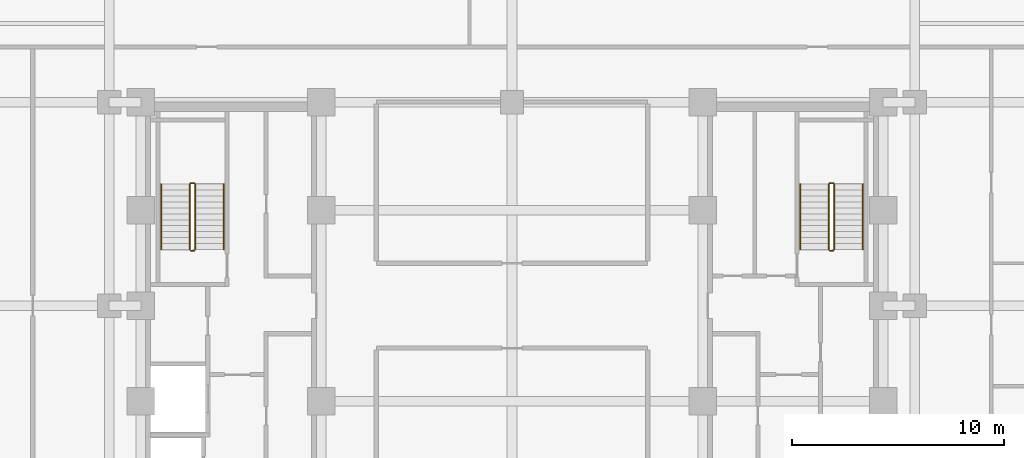
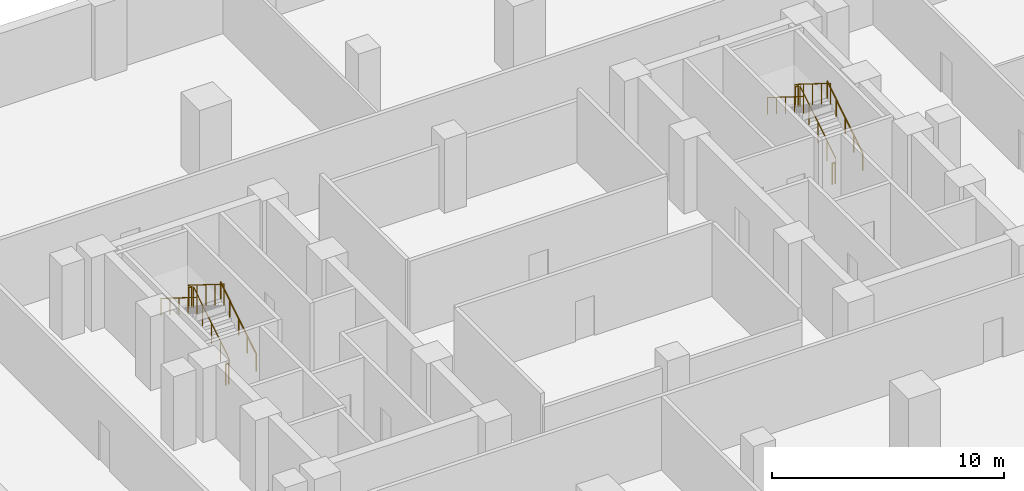
# One storey, part 6 of 6: 12 railings.
"""IFC4 building model written with IfcOpenShell, lengths in metres."""

from ifc_helpers import new_model, si_unit, direction, frame, origin, origin_2d, place, context, subcontext, project, spatial, circle, extrude, material, type_object, element, save


model = new_model("IFC4")

# Units and contexts
model_context = context("Model", 3, precision=1e-05, world=origin(), true_north=direction((0.0, 1.0)))
body_context = subcontext(model_context, "Body", "Model", "MODEL_VIEW")
ifc_project = project(units=[si_unit("LENGTHUNIT", "METRE"), si_unit("AREAUNIT", "SQUARE_METRE"), si_unit("VOLUMEUNIT", "CUBIC_METRE"), si_unit("PLANEANGLEUNIT", "RADIAN"), si_unit("MASSUNIT", "GRAM", prefix="KILO")], contexts=[model_context])

# Site, building, storey
site_placement = place(None, origin())
site = spatial("IfcSite", under=ifc_project, at=site_placement, CompositionType="ELEMENT")
building_placement = place(site_placement, origin())
building = spatial("IfcBuilding", under=site, at=building_placement, Name="Nuvemarco Arch Tower", CompositionType="ELEMENT")
storey_placement = place(building_placement, frame((0.0, 0.0, -4.199951171875)))
storey = spatial("IfcBuildingStorey", under=building, at=storey_placement, Name="B01", CompositionType="ELEMENT", Elevation=-4.199951171875)

# Railings
ifc_material_1 = material(Name="Brushed stainless steel handrail", Category="steel")
railing_type_1 = type_object("IfcRailingType", Name="RL-HANDRAIL-900", PredefinedType="HANDRAIL", material=ifc_material_1)
railing_1_placement = place(storey_placement, frame((-13.590087890625, 2.64990234375, 0.175048828125)))
element("IfcRailing", 1, at=railing_1_placement, inside=storey, type_object=railing_type_1, Name="B01 ST-1 stair handrail 1", PredefinedType="HANDRAIL", context=body_context, shape_type="SweptSolid", body=[
    extrude(circle(Radius=0.02392578125, at=origin_2d()), frame((0.0, 0.0, 0.8759765625), z_axis=(0.0, 0.848028513186, 0.529950602248), x_axis=(-1.0, 0.0, 0.0)), (0.0, 0.0, 1.0), 3.632080078125),
    extrude(circle(Radius=0.02099609375, at=origin_2d()), origin(), (0.0, 0.0, 1.0), 0.851806640625),
    extrude(circle(Radius=0.02099609375, at=origin_2d()), frame((0.0, 0.77001953125, 0.481201171875)), (0.0, 0.0, 1.0), 0.851806640625),
    extrude(circle(Radius=0.02099609375, at=origin_2d()), frame((0.0, 1.5400390625, 0.96240234375)), (0.0, 0.0, 1.0), 0.851806640625),
    extrude(circle(Radius=0.02099609375, at=origin_2d()), frame((0.0, 2.31005859375, 1.443603515625)), (0.0, 0.0, 1.0), 0.851806640625),
    extrude(circle(Radius=0.02099609375, at=origin_2d()), frame((0.0, 3.080078125, 1.9248046875)), (0.0, 0.0, 1.0), 0.851806640625),
])
railing_2_placement = place(storey_placement, frame((-16.550048828125, 5.72998046875, 2.27490234375)))
element("IfcRailing", 2, at=railing_2_placement, inside=storey, type_object=railing_type_1, Name="B01 ST-1 stair handrail 2", PredefinedType="HANDRAIL", context=body_context, shape_type="SweptSolid", body=[
    extrude(circle(Radius=0.02392578125, at=origin_2d()), frame((0.0, 0.0, 0.8759765625), z_axis=(0.0, -0.847998304005, 0.529998940003), x_axis=(1.0, 0.0, 0.0)), (0.0, 0.0, 1.0), 3.632080078125),
    extrude(circle(Radius=0.02099609375, at=origin_2d()), origin(), (0.0, 0.0, 1.0), 0.851806640625),
    extrude(circle(Radius=0.02099609375, at=origin_2d()), frame((0.0, -0.77001953125, 0.481201171875)), (0.0, 0.0, 1.0), 0.851806640625),
    extrude(circle(Radius=0.02099609375, at=origin_2d()), frame((0.0, -1.5400390625, 0.96240234375)), (0.0, 0.0, 1.0), 0.851806640625),
    extrude(circle(Radius=0.02099609375, at=origin_2d()), frame((0.0, -2.31005859375, 1.44384765625)), (0.0, 0.0, 1.0), 0.851806640625),
    extrude(circle(Radius=0.02099609375, at=origin_2d()), frame((0.0, -3.080078125, 1.925048828125)), (0.0, 0.0, 1.0), 0.851806640625),
])
railing_3_placement = place(storey_placement, frame((16.550048828125, 2.64990234375, 0.175048828125)))
element("IfcRailing", 3, at=railing_3_placement, inside=storey, type_object=railing_type_1, Name="B01 ST-2 stair handrail 1", PredefinedType="HANDRAIL", context=body_context, shape_type="SweptSolid", body=[
    extrude(circle(Radius=0.02392578125, at=origin_2d()), frame((0.0, 0.0, 0.8759765625), z_axis=(0.0, 0.848028513186, 0.529950602248), x_axis=(-1.0, 0.0, 0.0)), (0.0, 0.0, 1.0), 3.632080078125),
    extrude(circle(Radius=0.02099609375, at=origin_2d()), origin(), (0.0, 0.0, 1.0), 0.851806640625),
    extrude(circle(Radius=0.02099609375, at=origin_2d()), frame((0.0, 0.77001953125, 0.481201171875)), (0.0, 0.0, 1.0), 0.851806640625),
    extrude(circle(Radius=0.02099609375, at=origin_2d()), frame((0.0, 1.5400390625, 0.96240234375)), (0.0, 0.0, 1.0), 0.851806640625),
    extrude(circle(Radius=0.02099609375, at=origin_2d()), frame((0.0, 2.31005859375, 1.443603515625)), (0.0, 0.0, 1.0), 0.851806640625),
    extrude(circle(Radius=0.02099609375, at=origin_2d()), frame((0.0, 3.080078125, 1.9248046875)), (0.0, 0.0, 1.0), 0.851806640625),
])
railing_4_placement = place(storey_placement, frame((13.590087890625, 5.72998046875, 2.27490234375)))
element("IfcRailing", 4, at=railing_4_placement, inside=storey, type_object=railing_type_1, Name="B01 ST-2 stair handrail 2", PredefinedType="HANDRAIL", context=body_context, shape_type="SweptSolid", body=[
    extrude(circle(Radius=0.02392578125, at=origin_2d()), frame((0.0, 0.0, 0.8759765625), z_axis=(0.0, -0.847998304005, 0.529998940003), x_axis=(1.0, 0.0, 0.0)), (0.0, 0.0, 1.0), 3.632080078125),
    extrude(circle(Radius=0.02099609375, at=origin_2d()), origin(), (0.0, 0.0, 1.0), 0.851806640625),
    extrude(circle(Radius=0.02099609375, at=origin_2d()), frame((0.0, -0.77001953125, 0.481201171875)), (0.0, 0.0, 1.0), 0.851806640625),
    extrude(circle(Radius=0.02099609375, at=origin_2d()), frame((0.0, -1.5400390625, 0.96240234375)), (0.0, 0.0, 1.0), 0.851806640625),
    extrude(circle(Radius=0.02099609375, at=origin_2d()), frame((0.0, -2.31005859375, 1.44384765625)), (0.0, 0.0, 1.0), 0.851806640625),
    extrude(circle(Radius=0.02099609375, at=origin_2d()), frame((0.0, -3.080078125, 1.925048828125)), (0.0, 0.0, 1.0), 0.851806640625),
])
ifc_material_2 = material(Name="Painted balustrade steel S355", Category="steel")
railing_type_2 = type_object("IfcRailingType", Name="RL-STAIR-GUARD", PredefinedType="GUARDRAIL", material=ifc_material_2)
railing_5_placement = place(storey_placement, frame((-14.93994140625, 2.64990234375, 0.175048828125)))
element("IfcRailing", 5, at=railing_5_placement, inside=storey, type_object=railing_type_2, Name="B01 ST-1 stair guard 1", PredefinedType="GUARDRAIL", context=body_context, shape_type="SweptSolid", body=[
    extrude(circle(Radius=0.02392578125, at=origin_2d()), frame((0.0, 0.0, 1.09619140625), z_axis=(0.0, 0.848028513186, 0.529950602248), x_axis=(-1.0, 0.0, 0.0)), (0.0, 0.0, 1.0), 3.632080078125),
    extrude(circle(Radius=0.02099609375, at=origin_2d()), origin(), (0.0, 0.0, 1.0), 1.072021484375),
    extrude(circle(Radius=0.02099609375, at=origin_2d()), frame((0.0, 0.77001953125, 0.481201171875)), (0.0, 0.0, 1.0), 1.072021484375),
    extrude(circle(Radius=0.02099609375, at=origin_2d()), frame((0.0, 1.5400390625, 0.96240234375)), (0.0, 0.0, 1.0), 1.072021484375),
    extrude(circle(Radius=0.02099609375, at=origin_2d()), frame((0.0, 2.31005859375, 1.443603515625)), (0.0, 0.0, 1.0), 1.072021484375),
    extrude(circle(Radius=0.02099609375, at=origin_2d()), frame((0.0, 3.080078125, 1.9248046875)), (0.0, 0.0, 1.0), 1.072021484375),
])
railing_6_placement = place(storey_placement, frame((-14.989990234375, 5.780029296875, 2.099853515625)))
element("IfcRailing", 6, at=railing_6_placement, inside=storey, type_object=railing_type_2, Name="B01 ST-1 stair guard 2", PredefinedType="GUARDRAIL", context=body_context, shape_type="SweptSolid", body=[
    extrude(circle(Radius=0.02392578125, at=origin_2d()), frame((0.0, 0.0, 1.09619140625), z_axis=(-1.0, 0.0, 0.0), x_axis=(0.0, -1.0, 0.0)), (0.0, 0.0, 1.0), 0.159912109375),
    extrude(circle(Radius=0.02099609375, at=origin_2d()), origin(), (0.0, 0.0, 1.0), 1.072021484375),
    extrude(circle(Radius=0.02099609375, at=origin_2d()), frame((-0.159912109375, 0.0, 0.0)), (0.0, 0.0, 1.0), 1.072021484375),
])
railing_7_placement = place(storey_placement, frame((-15.199951171875, 5.72998046875, 2.27490234375)))
element("IfcRailing", 7, at=railing_7_placement, inside=storey, type_object=railing_type_2, Name="B01 ST-1 stair guard 3", PredefinedType="GUARDRAIL", context=body_context, shape_type="SweptSolid", body=[
    extrude(circle(Radius=0.02392578125, at=origin_2d()), frame((0.0, 0.0, 1.09619140625), z_axis=(0.0, -0.847998304005, 0.529998940003), x_axis=(1.0, 0.0, 0.0)), (0.0, 0.0, 1.0), 3.632080078125),
    extrude(circle(Radius=0.02099609375, at=origin_2d()), origin(), (0.0, 0.0, 1.0), 1.072021484375),
    extrude(circle(Radius=0.02099609375, at=origin_2d()), frame((0.0, -0.77001953125, 0.481201171875)), (0.0, 0.0, 1.0), 1.072021484375),
    extrude(circle(Radius=0.02099609375, at=origin_2d()), frame((0.0, -1.5400390625, 0.96240234375)), (0.0, 0.0, 1.0), 1.072021484375),
    extrude(circle(Radius=0.02099609375, at=origin_2d()), frame((0.0, -2.31005859375, 1.44384765625)), (0.0, 0.0, 1.0), 1.072021484375),
    extrude(circle(Radius=0.02099609375, at=origin_2d()), frame((0.0, -3.080078125, 1.925048828125)), (0.0, 0.0, 1.0), 1.072021484375),
])
railing_8_placement = place(storey_placement, frame((-14.989990234375, 2.60009765625, 0.0)))
element("IfcRailing", 8, at=railing_8_placement, inside=storey, type_object=railing_type_2, Name="B01 ST-1 stair guard 4", PredefinedType="GUARDRAIL", context=body_context, shape_type="SweptSolid", body=[
    extrude(circle(Radius=0.02392578125, at=origin_2d()), frame((0.0, 0.0, 1.09619140625), z_axis=(-1.0, 0.0, 0.0), x_axis=(0.0, -1.0, 0.0)), (0.0, 0.0, 1.0), 0.159912109375),
    extrude(circle(Radius=0.02099609375, at=origin_2d()), origin(), (0.0, 0.0, 1.0), 1.072021484375),
    extrude(circle(Radius=0.02099609375, at=origin_2d()), frame((-0.159912109375, 0.0, 0.0)), (0.0, 0.0, 1.0), 1.072021484375),
])
railing_9_placement = place(storey_placement, frame((15.199951171875, 2.64990234375, 0.175048828125)))
element("IfcRailing", 9, at=railing_9_placement, inside=storey, type_object=railing_type_2, Name="B01 ST-2 stair guard 1", PredefinedType="GUARDRAIL", context=body_context, shape_type="SweptSolid", body=[
    extrude(circle(Radius=0.02392578125, at=origin_2d()), frame((0.0, 0.0, 1.09619140625), z_axis=(0.0, 0.848028513186, 0.529950602248), x_axis=(-1.0, 0.0, 0.0)), (0.0, 0.0, 1.0), 3.632080078125),
    extrude(circle(Radius=0.02099609375, at=origin_2d()), origin(), (0.0, 0.0, 1.0), 1.072021484375),
    extrude(circle(Radius=0.02099609375, at=origin_2d()), frame((0.0, 0.77001953125, 0.481201171875)), (0.0, 0.0, 1.0), 1.072021484375),
    extrude(circle(Radius=0.02099609375, at=origin_2d()), frame((0.0, 1.5400390625, 0.96240234375)), (0.0, 0.0, 1.0), 1.072021484375),
    extrude(circle(Radius=0.02099609375, at=origin_2d()), frame((0.0, 2.31005859375, 1.443603515625)), (0.0, 0.0, 1.0), 1.072021484375),
    extrude(circle(Radius=0.02099609375, at=origin_2d()), frame((0.0, 3.080078125, 1.9248046875)), (0.0, 0.0, 1.0), 1.072021484375),
])
railing_10_placement = place(storey_placement, frame((15.14990234375, 5.780029296875, 2.099853515625)))
element("IfcRailing", 10, at=railing_10_placement, inside=storey, type_object=railing_type_2, Name="B01 ST-2 stair guard 2", PredefinedType="GUARDRAIL", context=body_context, shape_type="SweptSolid", body=[
    extrude(circle(Radius=0.02392578125, at=origin_2d()), frame((0.0, 0.0, 1.09619140625), z_axis=(-1.0, 0.0, 0.0), x_axis=(0.0, -1.0, 0.0)), (0.0, 0.0, 1.0), 0.159912109375),
    extrude(circle(Radius=0.02099609375, at=origin_2d()), origin(), (0.0, 0.0, 1.0), 1.072021484375),
    extrude(circle(Radius=0.02099609375, at=origin_2d()), frame((-0.159912109375, 0.0, 0.0)), (0.0, 0.0, 1.0), 1.072021484375),
])
railing_11_placement = place(storey_placement, frame((14.93994140625, 5.72998046875, 2.27490234375)))
element("IfcRailing", 11, at=railing_11_placement, inside=storey, type_object=railing_type_2, Name="B01 ST-2 stair guard 3", PredefinedType="GUARDRAIL", context=body_context, shape_type="SweptSolid", body=[
    extrude(circle(Radius=0.02392578125, at=origin_2d()), frame((0.0, 0.0, 1.09619140625), z_axis=(0.0, -0.847998304005, 0.529998940003), x_axis=(1.0, 0.0, 0.0)), (0.0, 0.0, 1.0), 3.632080078125),
    extrude(circle(Radius=0.02099609375, at=origin_2d()), origin(), (0.0, 0.0, 1.0), 1.072021484375),
    extrude(circle(Radius=0.02099609375, at=origin_2d()), frame((0.0, -0.77001953125, 0.481201171875)), (0.0, 0.0, 1.0), 1.072021484375),
    extrude(circle(Radius=0.02099609375, at=origin_2d()), frame((0.0, -1.5400390625, 0.96240234375)), (0.0, 0.0, 1.0), 1.072021484375),
    extrude(circle(Radius=0.02099609375, at=origin_2d()), frame((0.0, -2.31005859375, 1.44384765625)), (0.0, 0.0, 1.0), 1.072021484375),
    extrude(circle(Radius=0.02099609375, at=origin_2d()), frame((0.0, -3.080078125, 1.925048828125)), (0.0, 0.0, 1.0), 1.072021484375),
])
railing_12_placement = place(storey_placement, frame((15.14990234375, 2.60009765625, 0.0)))
element("IfcRailing", 12, at=railing_12_placement, inside=storey, type_object=railing_type_2, Name="B01 ST-2 stair guard 4", PredefinedType="GUARDRAIL", context=body_context, shape_type="SweptSolid", body=[
    extrude(circle(Radius=0.02392578125, at=origin_2d()), frame((0.0, 0.0, 1.09619140625), z_axis=(-1.0, 0.0, 0.0), x_axis=(0.0, -1.0, 0.0)), (0.0, 0.0, 1.0), 0.159912109375),
    extrude(circle(Radius=0.02099609375, at=origin_2d()), origin(), (0.0, 0.0, 1.0), 1.072021484375),
    extrude(circle(Radius=0.02099609375, at=origin_2d()), frame((-0.159912109375, 0.0, 0.0)), (0.0, 0.0, 1.0), 1.072021484375),
])

save(model, "model.ifc")
